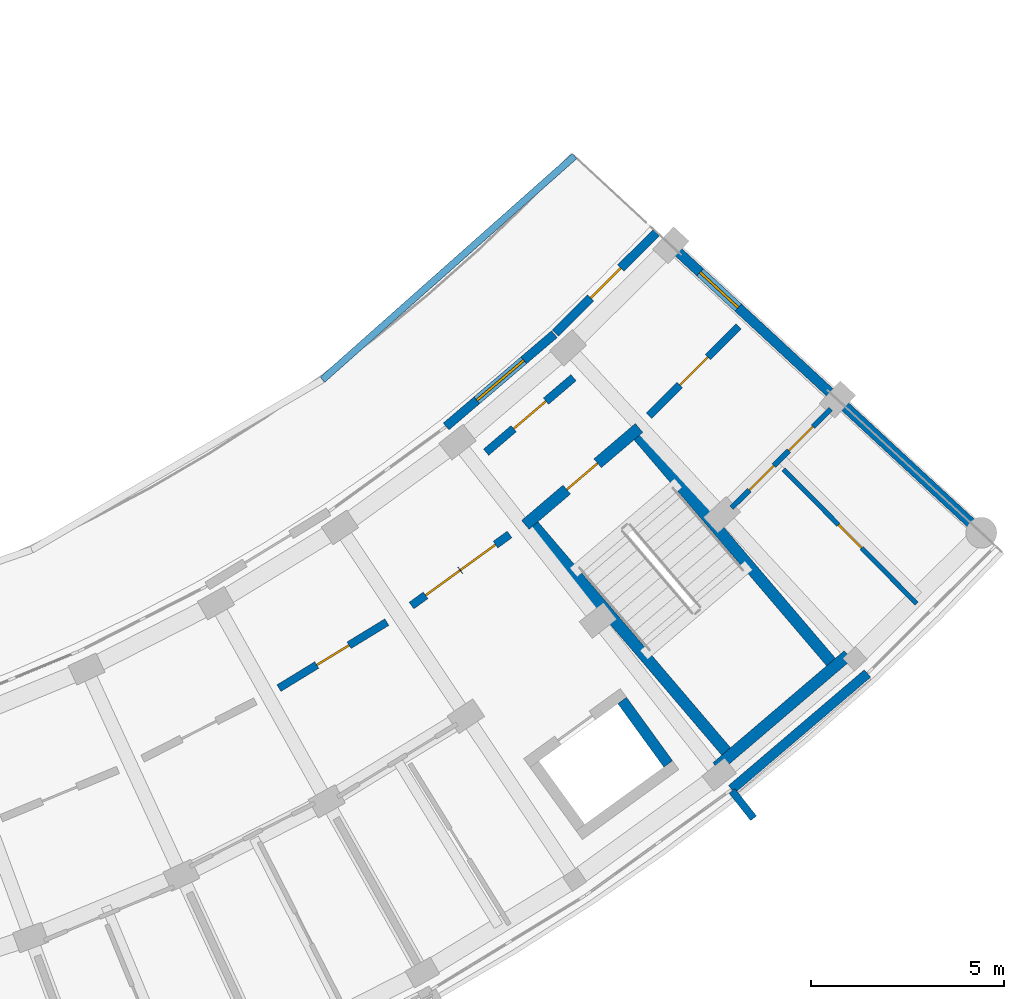
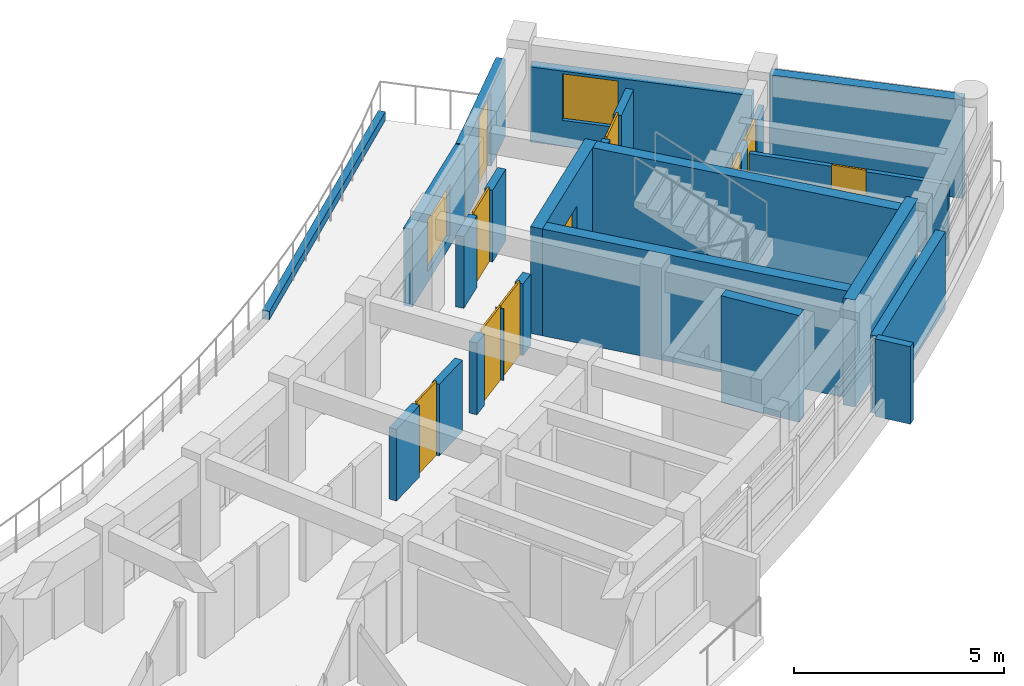
# One storey, part 39 of 54: 18 walls, 10 doors, 2 windows, 12 openings.
"""IFC4 building model written with IfcOpenShell, lengths in metres."""

import ifcopenshell
import ifcopenshell.guid

model = None  # the IFC model being written
_history = None  # IfcOwnerHistory: only IFC2X3 demands one
_inside = {}  # id of a spatial element -> (the spatial element, [elements in it])
_under = {}  # id of a project, library or spatial element -> (it, [spatial elements below it])
_declared = {}  # id of a project -> (the project, [libraries it declares])
_typed = {}  # id of a type object -> (the type object, [elements of that type])
_made_of = {}  # id of a material, layer set ... -> (it, [elements and type objects made of it])


def new_model(schema):
    """Start an empty IFC model of exactly this schema.

    Asked for "IFC4X3", IfcOpenShell would pick the latest addendum, in which some entities
    have other attributes; the version numbers below select the first issue.
    IFC2X3 requires an IfcOwnerHistory on every rooted entity: one is made here for all.
    """
    global model, _history
    if schema == "IFC4X3":
        model = ifcopenshell.file(schema_version=(4, 3, 0, 0))
    else:
        model = ifcopenshell.file(schema=schema)
    _inside.clear()
    _under.clear()
    _declared.clear()
    _typed.clear()
    _made_of.clear()
    _history = None
    if model.schema == "IFC2X3":
        org = make("IfcOrganization", Name="unknown")
        user = make(
            "IfcPersonAndOrganization",
            ThePerson=make("IfcPerson", FamilyName="unknown"),
            TheOrganization=org,
        )
        app = make(
            "IfcApplication",
            ApplicationDeveloper=org,
            Version="unknown",
            ApplicationFullName="unknown",
            ApplicationIdentifier="unknown",
        )
        _history = make(
            "IfcOwnerHistory",
            OwningUser=user,
            OwningApplication=app,
            ChangeAction="ADDED",
            CreationDate=0,
        )
    return model


def make(cls, **values):
    """One entity of the class cls with the attributes given. An attribute that is None is left unset."""
    return model.create_entity(
        cls, **{name: value for name, value in values.items() if value is not None}
    )


def rooted(cls, **values):
    """An entity with a GlobalId (a new one), such as an element, a storey or a relation."""
    return make(cls, GlobalId=ifcopenshell.guid.new(), OwnerHistory=_history, **values)


def si_unit(unit_type, name, prefix=None):
    """IfcSIUnit, for example si_unit("LENGTHUNIT", "METRE", prefix="MILLI")."""
    return make("IfcSIUnit", UnitType=unit_type, Prefix=prefix, Name=name)


def assignment(units):
    """IfcUnitAssignment: the units of a project."""
    return None if units is None else make("IfcUnitAssignment", Units=units)


def point(xyz):
    """IfcCartesianPoint."""
    return None if xyz is None else make("IfcCartesianPoint", Coordinates=xyz)


def direction(xyz):
    """IfcDirection."""
    return None if xyz is None else make("IfcDirection", DirectionRatios=xyz)


def frame(location, z_axis=None, x_axis=None):
    """IfcAxis2Placement3D, a coordinate frame: its origin and axes. An axis left out is left unset."""
    return make(
        "IfcAxis2Placement3D",
        Location=point(location),
        Axis=direction(z_axis),
        RefDirection=direction(x_axis),
    )


def frame_2d(location, x_axis=None):
    """IfcAxis2Placement2D, a coordinate frame in the plane: its origin and x axis."""
    return make(
        "IfcAxis2Placement2D", Location=point(location), RefDirection=direction(x_axis)
    )


def origin():
    """The frame at (0, 0, 0) with its axes left unset."""
    return frame((0.0, 0.0, 0.0))


def place(relative_to, where):
    """IfcLocalPlacement: puts the frame where relative to a parent placement (None: the world)."""
    return make(
        "IfcLocalPlacement", PlacementRelTo=relative_to, RelativePlacement=where
    )


def context(
    kind, dimensions, precision=None, world=None, true_north=None, identifier=None
):
    """IfcGeometricRepresentationContext, for example the 3D "Model" context."""
    return make(
        "IfcGeometricRepresentationContext",
        ContextIdentifier=identifier,
        ContextType=kind,
        CoordinateSpaceDimension=dimensions,
        Precision=precision,
        WorldCoordinateSystem=world,
        TrueNorth=true_north,
    )


def subcontext(parent, identifier, kind, view, scale=None):
    """IfcGeometricRepresentationSubContext, for example "Body" below "Model"."""
    return make(
        "IfcGeometricRepresentationSubContext",
        ContextIdentifier=identifier,
        ContextType=kind,
        ParentContext=parent,
        TargetScale=scale,
        TargetView=view,
    )


def project(units=None, contexts=None):
    """IfcProject with its units and contexts."""
    return rooted(
        "IfcProject",
        Name="project",
        RepresentationContexts=contexts,
        UnitsInContext=assignment(units),
    )


def spatial(cls, under=None, at=None, **own):
    """A site, building, storey or space (cls), placed at a placement, below another one or the project."""
    s = rooted(cls, ObjectPlacement=at, **own)
    if under is not None:
        _under.setdefault(under.id(), (under, []))[1].append(s)
    return s


def profile(cls, at=None, kind="AREA", **sizes):
    """A parametric profile (cls). Its sizes go by their IFC names, for example OverallWidth=200.0."""
    return make(cls, ProfileType=kind, Position=at, **sizes)


def rectangle(**sizes):
    """IfcRectangleProfileDef."""
    return profile("IfcRectangleProfileDef", **sizes)


def extrude(swept, where, along, depth):
    """IfcExtrudedAreaSolid: the profile swept, set in the frame where, extruded along a direction by depth."""
    return make(
        "IfcExtrudedAreaSolid",
        SweptArea=swept,
        Position=where,
        ExtrudedDirection=direction(along),
        Depth=depth,
    )


def shape(context_of_items, identifier, shape_type, items):
    """IfcShapeRepresentation: the items that make up one representation, for example the "Body"."""
    return make(
        "IfcShapeRepresentation",
        ContextOfItems=context_of_items,
        RepresentationIdentifier=identifier,
        RepresentationType=shape_type,
        Items=items,
    )


def material(Name=None, Category=None):
    """IfcMaterial."""
    return make("IfcMaterial", Name=Name, Category=Category)


def layer(
    of_material, thickness, ventilated=None, Name=None, Category=None, Priority=None
):
    """IfcMaterialLayer: one layer of a wall or slab, of a material (None: an air gap)."""
    return make(
        "IfcMaterialLayer",
        Material=of_material,
        LayerThickness=thickness,
        IsVentilated=ventilated,
        Name=Name,
        Category=Category,
        Priority=Priority,
    )


def layer_set(layers, Name=None):
    """IfcMaterialLayerSet."""
    return make("IfcMaterialLayerSet", MaterialLayers=layers, LayerSetName=Name)


def made_of(thing, what):
    """Note that an element or type object is made of a material, layer set ...; save() writes the relation."""
    if what is not None:
        _made_of.setdefault(what.id(), (what, []))[1].append(thing)
    return thing


def type_object(cls, material=None, **own):
    """A type object (cls), such as IfcWallType, which elements share."""
    return made_of(rooted(cls, **own), material)


def element(
    cls,
    number,
    at=None,
    inside=None,
    cuts=None,
    type_object=None,
    material=None,
    context=None,
    identifier="Body",
    shape_type=None,
    held_by="IfcProductDefinitionShape",
    body=None,
    shapes=None,
    **own,
):
    """One element of the class cls, such as IfcWall. Its Tag is "e" and its number.

    at: its placement. inside: the storey or other place that contains it. cuts: it is an
    opening in that element (IfcRelVoidsElement). A single representation is given by context,
    identifier, shape_type and body (its items); several are given by shapes. held_by: the class
    of the entity that holds the representations. save() writes the other relations.
    """
    e = rooted(cls, Tag="e%d" % number, ObjectPlacement=at, **own)
    if body is not None:
        shapes = [shape(context, identifier, shape_type, body)]
    if shapes is not None:
        e.Representation = make(held_by, Representations=shapes)
    if inside is not None:
        _inside.setdefault(inside.id(), (inside, []))[1].append(e)
    if cuts is not None:
        rooted(
            "IfcRelVoidsElement", RelatingBuildingElement=cuts, RelatedOpeningElement=e
        )
    if type_object is not None:
        _typed.setdefault(type_object.id(), (type_object, []))[1].append(e)
    return made_of(e, material)


def fill(opening, filler):
    """IfcRelFillsElement: the door or window that sits in an opening."""
    return rooted(
        "IfcRelFillsElement",
        RelatingOpeningElement=opening,
        RelatedBuildingElement=filler,
    )


def aggregate(whole, parts):
    """IfcRelAggregates: a whole, such as a stair, and the parts it consists of."""
    return rooted("IfcRelAggregates", RelatingObject=whole, RelatedObjects=parts)


def save(model, path):
    """Write the relations noted so far, then the file.

    IfcRelAggregates (storeys below a building ...), IfcRelContainedInSpatialStructure (elements
    in a storey), IfcRelDefinesByType, IfcRelAssociatesMaterial and IfcRelDeclares: one each for
    every whole, place, type object, material and project.
    """
    for whole, parts in _under.values():
        aggregate(whole, parts)
    for where, things in _inside.values():
        rooted(
            "IfcRelContainedInSpatialStructure",
            RelatedElements=things,
            RelatingStructure=where,
        )
    for kind, things in _typed.values():
        rooted("IfcRelDefinesByType", RelatedObjects=things, RelatingType=kind)
    for what, things in _made_of.values():
        rooted("IfcRelAssociatesMaterial", RelatedObjects=things, RelatingMaterial=what)
    for by, libraries in _declared.values():
        rooted("IfcRelDeclares", RelatingContext=by, RelatedDefinitions=libraries)
    model.write(path)


model = new_model("IFC4")

# Units and contexts
model_context = context("Model", 3, precision=1e-05, world=origin(), true_north=direction((0.0, 1.0)))
body_context = subcontext(model_context, "Body", "Model", "MODEL_VIEW")
ifc_project = project(units=[si_unit("LENGTHUNIT", "METRE"), si_unit("AREAUNIT", "SQUARE_METRE"), si_unit("VOLUMEUNIT", "CUBIC_METRE"), si_unit("PLANEANGLEUNIT", "RADIAN"), si_unit("MASSUNIT", "GRAM", prefix="KILO")], contexts=[model_context])

# Site, building, storey
site_placement = place(None, origin())
site = spatial("IfcSite", under=ifc_project, at=site_placement, CompositionType="ELEMENT")
building_placement = place(site_placement, origin())
building = spatial("IfcBuilding", under=site, at=building_placement, Name="Zimvara Arc Housing Community", CompositionType="ELEMENT")
storey_placement = place(building_placement, frame((0.0, 0.0, 20.5)))
storey = spatial("IfcBuildingStorey", under=building, at=storey_placement, Name="L06", CompositionType="ELEMENT", Elevation=20.5)

# Wall, opening, window
ifc_material_1 = material(Name="Board-Marked Fair-Faced Concrete C35/45", Category="concrete")
ifc_layer_1 = layer(ifc_material_1, 0.22998046875)
ifc_layer_set_1 = layer_set([ifc_layer_1], Name="Board-Marked Fair-Faced Concrete C35/45")
wall_type_1 = type_object("IfcWallType", Name="EWL-CONC-230", PredefinedType="SOLIDWALL", material=ifc_layer_set_1)
wall_1_placement = place(storey_placement, frame((155.320068359375, 72.607666015625, 0.0), z_axis=(0.0, 0.0, 1.0), x_axis=(0.760985049259, 0.648769415743, 0.0)))
wall_1 = element("IfcWall", 1, at=wall_1_placement, inside=storey, type_object=wall_type_1, Name="ewall:blkD:L06:in:b8", PredefinedType="SOLIDWALL", context=body_context, shape_type="SweptSolid", body=[
    extrude(rectangle(XDim=3.683349609375, YDim=0.22998046875, at=frame_2d((1.841796875, 0.0))), origin(), (0.0, 0.0, 1.0), 2.25),
])
opening_1_placement = place(wall_1_placement, frame((1.041748046875, 0.0, 0.320068359375)))
opening_1 = element("IfcOpeningElement", 2, at=opening_1_placement, cuts=wall_1, Name="Opening W03", PredefinedType="OPENING", context=body_context, shape_type="SweptSolid", body=[
    extrude(rectangle(XDim=1.60009765625, YDim=1.5, at=frame_2d((0.800048828125, 0.75))), frame((0.0, 0.125, 0.0), z_axis=(0.0, -1.0, 0.0), x_axis=(1.0, 0.0, 0.0)), (0.0, 0.0, 1.0), 0.25),
])
ifc_material_2 = material(Name="Solar Control Low-E Double Glazing", Category="glass")
window_type_1 = type_object("IfcWindowType", Name="WIN-RES-1600x1500", PartitioningType="DOUBLE_PANEL_VERTICAL", PredefinedType="WINDOW", material=ifc_material_2)
window_1_placement = place(opening_1_placement, origin())
window_1 = element("IfcWindow", 3, at=window_1_placement, inside=storey, type_object=window_type_1, Name="win:blkD:L06:in:b8", OverallHeight=1.5, OverallWidth=1.60009765625, PartitioningType="DOUBLE_PANEL_VERTICAL", PredefinedType="WINDOW", context=body_context, shape_type="SweptSolid", body=[
    extrude(rectangle(XDim=1.60009765625, YDim=1.5, at=frame_2d((0.800048828125, 0.75))), frame((0.0, 0.030029296875, 0.0), z_axis=(0.0, -1.0, 0.0), x_axis=(1.0, 0.0, 0.0)), (0.0, 0.0, 1.0), 0.06005859375),
])
fill(opening_1, window_1)

# Wall, opening, door
wall_2_placement = place(storey_placement, frame((158.152587890625, 75.0244140625, 0.0), z_axis=(0.0, 0.0, 1.0), x_axis=(0.707703076116, 0.706509982984, 0.0)))
wall_2 = element("IfcWall", 4, at=wall_2_placement, inside=storey, type_object=wall_type_1, Name="ewall:blkD:L06:in:b9", PredefinedType="SOLIDWALL", context=body_context, shape_type="SweptSolid", body=[
    extrude(rectangle(XDim=3.683349609375, YDim=0.22998046875, at=frame_2d((1.841796875, 0.0))), origin(), (0.0, 0.0, 1.0), 2.25),
])
opening_2_placement = place(wall_2_placement, frame((1.291748046875, 0.0, 0.0)))
opening_2 = element("IfcOpeningElement", 5, at=opening_2_placement, cuts=wall_2, Name="Opening ED06", PredefinedType="OPENING", context=body_context, shape_type="SweptSolid", body=[
    extrude(rectangle(XDim=1.10009765625, YDim=2.14990234375, at=frame_2d((0.550048828125, 1.074951171875))), frame((0.0, 0.125, 0.0), z_axis=(0.0, -1.0, 0.0), x_axis=(1.0, 0.0, 0.0)), (0.0, 0.0, 1.0), 0.25),
])
ifc_material_3 = material(Name="Anodised Aluminium AW-6063", Category="aluminium")
door_type_1 = type_object("IfcDoorType", Name="EDR-TERR-1100x2150", OperationType="NOTDEFINED", PredefinedType="DOOR", material=ifc_material_3)
door_1_placement = place(opening_2_placement, origin())
door_1 = element("IfcDoor", 6, at=door_1_placement, inside=storey, type_object=door_type_1, Name="edoor:blkD:L06:terr:b9", OperationType="SINGLE_SWING_LEFT", OverallHeight=2.14990234375, OverallWidth=1.10009765625, PredefinedType="DOOR", context=body_context, shape_type="SweptSolid", body=[
    extrude(rectangle(XDim=1.10009765625, YDim=2.14990234375, at=frame_2d((0.550048828125, 1.074951171875))), frame((0.0, 0.02490234375, 0.0), z_axis=(0.0, -1.0, 0.0), x_axis=(1.0, 0.0, 0.0)), (0.0, 0.0, 1.0), 0.050048828125),
])
fill(opening_2, door_1)

# Wall
ifc_material_4 = material(Name="Board-Marked Fair-Faced Concrete C35/45", Category="concrete")
ifc_layer_2 = layer(ifc_material_4, 0.2548828125)
ifc_layer_set_2 = layer_set([ifc_layer_2], Name="Board-Marked Fair-Faced Concrete C35/45")
wall_type_2 = type_object("IfcWallType", Name="EWL-CONC-255", PredefinedType="SOLIDWALL", material=ifc_layer_set_2)
wall_3_placement = place(storey_placement, frame((162.71630859375, 63.208740234375, 0.0), z_axis=(0.0, 0.0, 1.0), x_axis=(0.760968923704, 0.64878833001, 0.0)))
element("IfcWall", 7, at=wall_3_placement, inside=storey, type_object=wall_type_2, Name="ewall:blkD:L06:out:b8", PredefinedType="SOLIDWALL", context=body_context, shape_type="SweptSolid", body=[
    extrude(rectangle(XDim=4.62255859375, YDim=0.2548828125, at=frame_2d((2.311279296875, 0.0))), origin(), (0.0, 0.0, 1.0), 2.25),
])

# Wall, opening, window
wall_4_placement = place(storey_placement, frame((161.31640625, 77.13818359375, 0.0), z_axis=(0.0, 0.0, 1.0), x_axis=(0.733734795505, -0.679435979225, 0.0)))
wall_4 = element("IfcWall", 8, at=wall_4_placement, inside=storey, type_object=wall_type_2, Name="ewall:blkD:L06:gN", PredefinedType="SOLIDWALL", context=body_context, shape_type="SweptSolid", body=[
    extrude(rectangle(XDim=5.39990234375, YDim=0.2548828125, at=frame_2d((2.699951171875, 0.0))), origin(), (0.0, 0.0, 1.0), 2.179931640625),
])
opening_3_placement = place(wall_4_placement, frame((0.7900390625, 0.0, 0.75)))
opening_3 = element("IfcOpeningElement", 9, at=opening_3_placement, cuts=wall_4, Name="Opening W12", PredefinedType="OPENING", context=body_context, shape_type="SweptSolid", body=[
    extrude(rectangle(XDim=1.35009765625, YDim=1.35009765625, at=frame_2d((0.675048828125, 0.675048828125))), frame((0.0, 0.137451171875, 0.0), z_axis=(0.0, -1.0, 0.0), x_axis=(1.0, 0.0, 0.0)), (0.0, 0.0, 1.0), 0.27490234375),
])
ifc_material_5 = material(Name="Solar Control Low-E Double Glazing", Category="glass")
window_type_2 = type_object("IfcWindowType", Name="WIN-RES-1350x1350", PartitioningType="DOUBLE_PANEL_VERTICAL", PredefinedType="WINDOW", material=ifc_material_5)
window_2_placement = place(opening_3_placement, origin())
window_2 = element("IfcWindow", 10, at=window_2_placement, inside=storey, type_object=window_type_2, Name="win:blkD:L06:gN:w", OverallHeight=1.35009765625, OverallWidth=1.35009765625, PartitioningType="DOUBLE_PANEL_VERTICAL", PredefinedType="WINDOW", context=body_context, shape_type="SweptSolid", body=[
    extrude(rectangle(XDim=1.35009765625, YDim=1.35009765625, at=frame_2d((0.675048828125, 0.675048828125))), frame((0.0, 0.030029296875, 0.0), z_axis=(0.0, -1.0, 0.0), x_axis=(1.0, 0.0, 0.0)), (0.0, 0.0, 1.0), 0.06005859375),
])
fill(opening_3, window_2)

# Walls
ifc_material_6 = material(Name="Board-Marked Fair-Faced Concrete C35/45", Category="concrete")
ifc_layer_3 = layer(ifc_material_6, 0.179931640625)
ifc_layer_set_3 = layer_set([ifc_layer_3], Name="Board-Marked Fair-Faced Concrete C35/45")
wall_type_3 = type_object("IfcWallType", Name="EWL-PARA-180", PredefinedType="PARAPET", material=ifc_layer_set_3)
wall_5_placement = place(storey_placement, frame((152.11669921875, 73.81982421875, 0.0), z_axis=(0.0, 0.0, 1.0), x_axis=(0.74809726033, 0.66358909657, 0.0)))
element("IfcWall", 11, at=wall_5_placement, inside=storey, type_object=wall_type_3, Name="parapet:blkD:L06:p15", PredefinedType="PARAPET", context=body_context, shape_type="SweptSolid", body=[
    extrude(rectangle(XDim=8.7275390625, YDim=0.179931640625, at=frame_2d((4.36376953125, 0.0))), origin(), (0.0, 0.0, 1.0), 0.25),
])
ifc_material_7 = material(Name="Board-Marked Fair-Faced Concrete C35/45", Category="concrete")
ifc_layer_4 = layer(ifc_material_7, 0.195068359375)
ifc_layer_set_4 = layer_set([ifc_layer_4], Name="Board-Marked Fair-Faced Concrete C35/45")
wall_type_4 = type_object("IfcWallType", Name="EWL-PARA-195", PredefinedType="PARAPET", material=ifc_layer_set_4)
wall_6_placement = place(storey_placement, frame((162.725830078125, 63.164306640625, 0.0), z_axis=(0.0, 0.0, 1.0), x_axis=(0.618456270212, -0.785819217019, 0.0)))
element("IfcWall", 12, at=wall_6_placement, inside=storey, type_object=wall_type_4, Name="finwall:blkD:L06:out:b8", PredefinedType="PARAPET", context=body_context, shape_type="SweptSolid", body=[
    extrude(rectangle(XDim=0.900146484375, YDim=0.195068359375, at=frame_2d((0.4501953125, 0.0))), origin(), (0.0, 0.0, 1.0), 2.25),
])

# Wall, openings, doors
ifc_material_8 = material(Name="Concrete C35/45", Category="concrete")
ifc_layer_5 = layer(ifc_material_8, 0.2099609375)
ifc_layer_set_5 = layer_set([ifc_layer_5], Name="Concrete C35/45")
wall_type_5 = type_object("IfcWallType", Name="IWL-CCF-210", PredefinedType="SOLIDWALL", material=ifc_layer_set_5)
wall_7_placement = place(storey_placement, frame((154.4228515625, 67.968017578125, 0.0), z_axis=(0.0, 0.0, 1.0), x_axis=(0.809516127005, 0.587097641043, 0.0)))
wall_7 = element("IfcWall", 13, at=wall_7_placement, inside=storey, type_object=wall_type_5, Name="iwall:blkD:L06:ll_div:b7", PredefinedType="SOLIDWALL", context=body_context, shape_type="SweptSolid", body=[
    extrude(rectangle(XDim=3.13720703125, YDim=0.2099609375, at=frame_2d((1.568603515625, 0.0))), origin(), (0.0, 0.0, 1.0), 2.080078125),
])
opening_4_placement = place(wall_7_placement, frame((0.449951171875, 0.0, 0.0)))
opening_4 = element("IfcOpeningElement", 14, at=opening_4_placement, cuts=wall_7, Name="Opening FD-CCF1", PredefinedType="OPENING", context=body_context, shape_type="SweptSolid", body=[
    extrude(rectangle(XDim=1.10009765625, YDim=2.14990234375, at=frame_2d((0.550048828125, 1.074951171875))), frame((0.0, 0.114990234375, 0.0), z_axis=(0.0, -1.0, 0.0), x_axis=(1.0, 0.0, 0.0)), (0.0, 0.0, 1.0), 0.22998046875),
])
opening_5_placement = place(wall_7_placement, frame((1.56689453125, 0.0, 0.0)))
opening_5 = element("IfcOpeningElement", 15, at=opening_5_placement, cuts=wall_7, Name="Opening D07", PredefinedType="OPENING", context=body_context, shape_type="SweptSolid", body=[
    extrude(rectangle(XDim=1.1201171875, YDim=2.14990234375, at=frame_2d((0.56005859375, 1.074951171875))), frame((0.0, 0.114990234375, 0.0), z_axis=(0.0, -1.0, 0.0), x_axis=(1.0, 0.0, 0.0)), (0.0, 0.0, 1.0), 0.22998046875),
])
ifc_material_9 = material(Name="Mozambican Hardwood", Category="wood")
door_type_2 = type_object("IfcDoorType", Name="IDR-AMN-1120x2150", OperationType="NOTDEFINED", PredefinedType="DOOR", material=ifc_material_9)
door_2_placement = place(opening_5_placement, origin())
door_2 = element("IfcDoor", 16, at=door_2_placement, inside=storey, type_object=door_type_2, Name="idoor:blkD:L06:rs_in:b7", OperationType="SINGLE_SWING_LEFT", OverallHeight=2.14990234375, OverallWidth=1.1201171875, PredefinedType="DOOR", context=body_context, shape_type="SweptSolid", body=[
    extrude(rectangle(XDim=1.1201171875, YDim=2.14990234375, at=frame_2d((0.56005859375, 1.074951171875))), frame((0.0, 0.02490234375, 0.0), z_axis=(0.0, -1.0, 0.0), x_axis=(1.0, 0.0, 0.0)), (0.0, 0.0, 1.0), 0.050048828125),
])
fill(opening_5, door_2)
ifc_material_10 = material(Name="Anodised Aluminium AW-6063", Category="aluminium")
door_type_3 = type_object("IfcDoorType", Name="IDR-CCF-1100x2150", OperationType="NOTDEFINED", PredefinedType="DOOR", material=ifc_material_10)
door_3_placement = place(opening_4_placement, origin())
door_3 = element("IfcDoor", 17, at=door_3_placement, inside=storey, type_object=door_type_3, Name="idoor:blkD:L06:ll_in:b7", OperationType="SINGLE_SWING_RIGHT", OverallHeight=2.14990234375, OverallWidth=1.10009765625, PredefinedType="DOOR", context=body_context, shape_type="SweptSolid", body=[
    extrude(rectangle(XDim=1.10009765625, YDim=2.14990234375, at=frame_2d((0.550048828125, 1.074951171875))), frame((0.0, 0.02490234375, 0.0), z_axis=(0.0, -1.0, 0.0), x_axis=(1.0, 0.0, 0.0)), (0.0, 0.0, 1.0), 0.050048828125),
])
fill(opening_4, door_3)

# Wall, opening, door
wall_8_placement = place(storey_placement, frame((156.354248046875, 71.93994140625, 0.0), z_axis=(0.0, 0.0, 1.0), x_axis=(0.760991187621, 0.648762215579, 0.0)))
wall_8 = element("IfcWall", 18, at=wall_8_placement, inside=storey, type_object=wall_type_5, Name="iwall:blkD:L06:ccf_div:b8", PredefinedType="SOLIDWALL", context=body_context, shape_type="SweptSolid", body=[
    extrude(rectangle(XDim=2.975830078125, YDim=0.2099609375, at=frame_2d((1.48779296875, 0.0))), origin(), (0.0, 0.0, 1.0), 2.080078125),
])
opening_6_placement = place(wall_8_placement, frame((0.93798828125, 0.0, 0.0)))
opening_6 = element("IfcOpeningElement", 19, at=opening_6_placement, cuts=wall_8, Name="Opening FD-CCF1", PredefinedType="OPENING", context=body_context, shape_type="SweptSolid", body=[
    extrude(rectangle(XDim=1.10009765625, YDim=2.14990234375, at=frame_2d((0.550048828125, 1.074951171875))), frame((0.0, 0.114990234375, 0.0), z_axis=(0.0, -1.0, 0.0), x_axis=(1.0, 0.0, 0.0)), (0.0, 0.0, 1.0), 0.22998046875),
])
door_4_placement = place(opening_6_placement, origin())
door_4 = element("IfcDoor", 20, at=door_4_placement, inside=storey, type_object=door_type_3, Name="idoor:blkD:L06:ccf_in:b8", OperationType="SINGLE_SWING_RIGHT", OverallHeight=2.14990234375, OverallWidth=1.10009765625, PredefinedType="DOOR", context=body_context, shape_type="SweptSolid", body=[
    extrude(rectangle(XDim=1.10009765625, YDim=2.14990234375, at=frame_2d((0.550048828125, 1.074951171875))), frame((0.0, 0.02490234375, 0.0), z_axis=(0.0, -1.0, 0.0), x_axis=(1.0, 0.0, 0.0)), (0.0, 0.0, 1.0), 0.050048828125),
])
fill(opening_6, door_4)

ifc_material_11 = material(Name="Concrete C35/45", Category="concrete")
ifc_layer_6 = layer(ifc_material_11, 0.199951171875)
ifc_layer_set_6 = layer_set([ifc_layer_6], Name="Concrete C35/45")
wall_type_6 = type_object("IfcWallType", Name="IWL-CORR-200", PredefinedType="SOLIDWALL", material=ifc_layer_set_6)
wall_9_placement = place(storey_placement, frame((150.98876953125, 65.8291015625, 0.0), z_axis=(0.0, 0.0, 1.0), x_axis=(0.853090237845, 0.521763400492, 0.0)))
wall_9 = element("IfcWall", 21, at=wall_9_placement, inside=storey, type_object=wall_type_6, Name="iwall:blkD:L06:corr_out:b6", PredefinedType="SOLIDWALL", context=body_context, shape_type="SweptSolid", body=[
    extrude(rectangle(XDim=3.27685546875, YDim=0.199951171875, at=frame_2d((1.638427734375, 0.0))), origin(), (0.0, 0.0, 1.0), 2.080078125),
])
opening_7_placement = place(wall_9_placement, frame((1.1484375, 0.0, 0.0)))
opening_7 = element("IfcOpeningElement", 22, at=opening_7_placement, cuts=wall_9, Name="Opening FD-FL1", PredefinedType="OPENING", context=body_context, shape_type="SweptSolid", body=[
    extrude(rectangle(XDim=0.97998046875, YDim=2.14990234375, at=frame_2d((0.489990234375, 1.074951171875))), frame((0.0, 0.10986328125, 0.0), z_axis=(0.0, -1.0, 0.0), x_axis=(1.0, 0.0, 0.0)), (0.0, 0.0, 1.0), 0.219970703125),
])
ifc_material_12 = material(Name="Mozambican Hardwood", Category="wood")
door_type_4 = type_object("IfcDoorType", Name="IDR-FLAT-0980x2150", OperationType="NOTDEFINED", PredefinedType="DOOR", material=ifc_material_12)
door_5_placement = place(opening_7_placement, origin())
door_5 = element("IfcDoor", 23, at=door_5_placement, inside=storey, type_object=door_type_4, Name="idoor:blkD:L06:flat:b6", OperationType="SINGLE_SWING_RIGHT", OverallHeight=2.14990234375, OverallWidth=0.97998046875, PredefinedType="DOOR", context=body_context, shape_type="SweptSolid", body=[
    extrude(rectangle(XDim=0.97998046875, YDim=2.14990234375, at=frame_2d((0.489990234375, 1.074951171875))), frame((0.0, 0.02490234375, 0.0), z_axis=(0.0, -1.0, 0.0), x_axis=(1.0, 0.0, 0.0)), (0.0, 0.0, 1.0), 0.050048828125),
])
fill(opening_7, door_5)

wall_10_placement = place(storey_placement, frame((160.576416015625, 72.8837890625, 0.0), z_axis=(0.0, 0.0, 1.0), x_axis=(0.70773973846, 0.706473256822, 0.0)))
wall_10 = element("IfcWall", 24, at=wall_10_placement, inside=storey, type_object=wall_type_6, Name="iwall:blkD:L06:corr_out:b9", PredefinedType="SOLIDWALL", context=body_context, shape_type="SweptSolid", body=[
    extrude(rectangle(XDim=3.277099609375, YDim=0.199951171875, at=frame_2d((1.638671875, 0.0))), origin(), (0.0, 0.0, 1.0), 2.080078125),
])
opening_8_placement = place(wall_10_placement, frame((1.12841796875, 0.0, 0.0)))
opening_8 = element("IfcOpeningElement", 25, at=opening_8_placement, cuts=wall_10, Name="Opening FD-FL2", PredefinedType="OPENING", context=body_context, shape_type="SweptSolid", body=[
    extrude(rectangle(XDim=1.02001953125, YDim=2.14990234375, at=frame_2d((0.510009765625, 1.074951171875))), frame((0.0, 0.10986328125, 0.0), z_axis=(0.0, -1.0, 0.0), x_axis=(1.0, 0.0, 0.0)), (0.0, 0.0, 1.0), 0.219970703125),
])
ifc_material_13 = material(Name="Mozambican Hardwood", Category="wood")
door_type_5 = type_object("IfcDoorType", Name="IDR-FLAT-1020x2150", OperationType="NOTDEFINED", PredefinedType="DOOR", material=ifc_material_13)
door_6_placement = place(opening_8_placement, origin())
door_6 = element("IfcDoor", 26, at=door_6_placement, inside=storey, type_object=door_type_5, Name="idoor:blkD:L06:flat:b9", OperationType="SINGLE_SWING_LEFT", OverallHeight=2.14990234375, OverallWidth=1.02001953125, PredefinedType="DOOR", context=body_context, shape_type="SweptSolid", body=[
    extrude(rectangle(XDim=1.02001953125, YDim=2.14990234375, at=frame_2d((0.510009765625, 1.074951171875))), frame((0.0, 0.02490234375, 0.0), z_axis=(0.0, -1.0, 0.0), x_axis=(1.0, 0.0, 0.0)), (0.0, 0.0, 1.0), 0.050048828125),
])
fill(opening_8, door_6)

ifc_material_14 = material(Name="Painted Acoustic Plasterboard")
ifc_layer_7 = layer(ifc_material_14, 0.1201171875)
ifc_layer_set_7 = layer_set([ifc_layer_7], Name="Painted Acoustic Plasterboard")
wall_type_7 = type_object("IfcWallType", Name="IWL-PART-120", PredefinedType="PARTITIONING", material=ifc_layer_set_7)
wall_11_placement = place(storey_placement, frame((164.054931640625, 71.497314453125, 0.0), z_axis=(0.0, 0.0, 1.0), x_axis=(0.704461179749, -0.709742521078, 0.0)))
wall_11 = element("IfcWall", 27, at=wall_11_placement, inside=storey, type_object=wall_type_7, Name="iwall:blkD:L06:bed_div:b9", PredefinedType="PARTITIONING", context=body_context, shape_type="SweptSolid", body=[
    extrude(rectangle(XDim=4.900146484375, YDim=0.1201171875, at=frame_2d((2.4501953125, 0.0))), origin(), (0.0, 0.0, 1.0), 2.080078125),
])
opening_9_placement = place(wall_11_placement, frame((2.02490234375, 0.0, 0.0)))
opening_9 = element("IfcOpeningElement", 28, at=opening_9_placement, cuts=wall_11, Name="Opening D11", PredefinedType="OPENING", context=body_context, shape_type="SweptSolid", body=[
    extrude(rectangle(XDim=0.85009765625, YDim=2.10009765625, at=frame_2d((0.425048828125, 1.050048828125))), frame((0.0, 0.070068359375, 0.0), z_axis=(0.0, -1.0, 0.0), x_axis=(1.0, 0.0, 0.0)), (0.0, 0.0, 1.0), 0.14013671875),
])
ifc_material_15 = material(Name="Mozambican Hardwood", Category="wood")
door_type_6 = type_object("IfcDoorType", Name="IDR-MOD-850x2060", OperationType="NOTDEFINED", PredefinedType="DOOR", material=ifc_material_15)
door_7_placement = place(opening_9_placement, origin())
door_7 = element("IfcDoor", 29, at=door_7_placement, inside=storey, type_object=door_type_6, Name="idoor:blkD:L06:bed_d:b9", OperationType="SINGLE_SWING_RIGHT", OverallHeight=2.10009765625, OverallWidth=0.85009765625, PredefinedType="DOOR", context=body_context, shape_type="SweptSolid", body=[
    extrude(rectangle(XDim=0.85009765625, YDim=2.10009765625, at=frame_2d((0.425048828125, 1.050048828125))), frame((0.0, 0.02490234375, 0.0), z_axis=(0.0, -1.0, 0.0), x_axis=(1.0, 0.0, 0.0)), (0.0, 0.0, 1.0), 0.050048828125),
])
fill(opening_9, door_7)

# Wall, openings, doors
ifc_material_16 = material(Name="Painted Acoustic Plasterboard")
ifc_layer_8 = layer(ifc_material_16, 0.1298828125)
ifc_layer_set_8 = layer_set([ifc_layer_8], Name="Painted Acoustic Plasterboard")
wall_type_8 = type_object("IfcWallType", Name="IWL-PART-130", PredefinedType="PARTITIONING", material=ifc_layer_set_8)
wall_12_placement = place(storey_placement, frame((162.711181640625, 70.496826171875, 0.0), z_axis=(0.0, 0.0, 1.0), x_axis=(0.70774573777, 0.706467246706, 0.0)))
wall_12 = element("IfcWall", 30, at=wall_12_placement, inside=storey, type_object=wall_type_8, Name="iwall:blkD:L06:srv:b9", PredefinedType="PARTITIONING", context=body_context, shape_type="SweptSolid", body=[
    extrude(rectangle(XDim=3.628173828125, YDim=0.1298828125, at=frame_2d((1.81396484375, 0.0))), origin(), (0.0, 0.0, 1.0), 2.080078125),
])
opening_10_placement = place(wall_12_placement, frame((0.64990234375, 0.0, 0.0)))
opening_10 = element("IfcOpeningElement", 31, at=opening_10_placement, cuts=wall_12, Name="Opening D01", PredefinedType="OPENING", context=body_context, shape_type="SweptSolid", body=[
    extrude(rectangle(XDim=0.89990234375, YDim=2.10009765625, at=frame_2d((0.449951171875, 1.050048828125))), frame((0.0, 0.074951171875, 0.0), z_axis=(0.0, -1.0, 0.0), x_axis=(1.0, 0.0, 0.0)), (0.0, 0.0, 1.0), 0.14990234375),
])
opening_11_placement = place(wall_12_placement, frame((2.098388671875, 0.0, 0.0)))
opening_11 = element("IfcOpeningElement", 32, at=opening_11_placement, cuts=wall_12, Name="Opening D05", PredefinedType="OPENING", context=body_context, shape_type="SweptSolid", body=[
    extrude(rectangle(XDim=0.8798828125, YDim=2.10009765625, at=frame_2d((0.43994140625, 1.050048828125))), frame((0.0, 0.074951171875, 0.0), z_axis=(0.0, -1.0, 0.0), x_axis=(1.0, 0.0, 0.0)), (0.0, 0.0, 1.0), 0.14990234375),
])
ifc_material_17 = material(Name="Mozambican Hardwood", Category="wood")
door_type_7 = type_object("IfcDoorType", Name="IDR-RM-0900x2100", OperationType="NOTDEFINED", PredefinedType="DOOR", material=ifc_material_17)
door_8_placement = place(opening_10_placement, origin())
door_8 = element("IfcDoor", 33, at=door_8_placement, inside=storey, type_object=door_type_7, Name="idoor:blkD:L06:kit_liv:b9", OperationType="SINGLE_SWING_RIGHT", OverallHeight=2.10009765625, OverallWidth=0.89990234375, PredefinedType="DOOR", context=body_context, shape_type="SweptSolid", body=[
    extrude(rectangle(XDim=0.89990234375, YDim=2.10009765625, at=frame_2d((0.449951171875, 1.050048828125))), frame((0.0, 0.02490234375, 0.0), z_axis=(0.0, -1.0, 0.0), x_axis=(1.0, 0.0, 0.0)), (0.0, 0.0, 1.0), 0.050048828125),
])
fill(opening_10, door_8)
ifc_material_18 = material(Name="Mozambican Hardwood", Category="wood")
door_type_8 = type_object("IfcDoorType", Name="IDR-WC-0880x2100", OperationType="NOTDEFINED", PredefinedType="DOOR", material=ifc_material_18)
door_9_placement = place(opening_11_placement, origin())
door_9 = element("IfcDoor", 34, at=door_9_placement, inside=storey, type_object=door_type_8, Name="idoor:blkD:L06:bath_d:b9", OperationType="SINGLE_SWING_LEFT", OverallHeight=2.10009765625, OverallWidth=0.8798828125, PredefinedType="DOOR", context=body_context, shape_type="SweptSolid", body=[
    extrude(rectangle(XDim=0.8798828125, YDim=2.10009765625, at=frame_2d((0.43994140625, 1.050048828125))), frame((0.0, 0.02490234375, 0.0), z_axis=(0.0, -1.0, 0.0), x_axis=(1.0, 0.0, 0.0)), (0.0, 0.0, 1.0), 0.050048828125),
])
fill(opening_11, door_9)

# Wall
ifc_material_19 = material(Name="Concrete C40/50", Category="concrete")
ifc_layer_9 = layer(ifc_material_19, 0.280029296875)
ifc_layer_set_9 = layer_set([ifc_layer_9], Name="Concrete C40/50")
wall_type_9 = type_object("IfcWallType", Name="WL-CORE-280", PredefinedType="SHEAR", material=ifc_layer_set_9)
wall_13_placement = place(storey_placement, frame((159.87939453125, 65.509033203125, 0.0), z_axis=(0.0, 0.0, 1.0), x_axis=(0.58704837408, -0.809551855344, 0.0)))
element("IfcWall", 35, at=wall_13_placement, inside=storey, type_object=wall_type_9, Name="lwall:LP-D2:L06:right", PredefinedType="SHEAR", context=body_context, shape_type="SweptSolid", body=[
    extrude(rectangle(XDim=2.02978515625, YDim=0.280029296875, at=frame_2d((1.014892578125, 0.0))), origin(), (0.0, 0.0, 1.0), 3.10009765625),
])

# Wall, opening, door
ifc_material_20 = material(Name="Concrete C40/50", Category="concrete")
ifc_layer_10 = layer(ifc_material_20, 0.300048828125)
ifc_layer_set_10 = layer_set([ifc_layer_10], Name="Concrete C40/50")
wall_type_10 = type_object("IfcWallType", Name="WL-CORE-300", PredefinedType="SHEAR", material=ifc_layer_set_10)
wall_14_placement = place(storey_placement, frame((157.37158203125, 70.0576171875, 0.0), z_axis=(0.0, 0.0, 1.0), x_axis=(0.760990583254, 0.648762924495, 0.0)))
wall_14 = element("IfcWall", 36, at=wall_14_placement, inside=storey, type_object=wall_type_10, Name="cwall:ST-D2:L06:near", PredefinedType="SHEAR", context=body_context, shape_type="SweptSolid", body=[
    extrude(rectangle(XDim=3.8701171875, YDim=0.300048828125, at=frame_2d((1.93505859375, 0.0))), origin(), (0.0, 0.0, 1.0), 3.10009765625),
])
opening_12_placement = place(wall_14_placement, frame((1.409912109375, 0.0, 0.0)))
opening_12 = element("IfcOpeningElement", 37, at=opening_12_placement, cuts=wall_14, Name="Opening FD-ST2", PredefinedType="OPENING", context=body_context, shape_type="SweptSolid", body=[
    extrude(rectangle(XDim=1.050048828125, YDim=2.14990234375, at=frame_2d((0.52490234375, 1.074951171875))), frame((0.0, 0.159912109375, 0.0), z_axis=(0.0, -1.0, 0.0), x_axis=(1.0, 0.0, 0.0)), (0.0, 0.0, 1.0), 0.320068359375),
])
ifc_material_21 = material(Name="Anodised Aluminium AW-6063", Category="aluminium")
door_type_9 = type_object("IfcDoorType", Name="IDR-ST-1050x2150", OperationType="NOTDEFINED", PredefinedType="DOOR", material=ifc_material_21)
door_10_placement = place(opening_12_placement, origin())
door_10 = element("IfcDoor", 38, at=door_10_placement, inside=storey, type_object=door_type_9, Name="idoor:ST-D2:L06:entry", OperationType="SINGLE_SWING_RIGHT", OverallHeight=2.14990234375, OverallWidth=1.050048828125, PredefinedType="DOOR", context=body_context, shape_type="SweptSolid", body=[
    extrude(rectangle(XDim=1.050048828125, YDim=2.14990234375, at=frame_2d((0.52490234375, 1.074951171875))), frame((0.0, 0.02490234375, 0.0), z_axis=(0.0, -1.0, 0.0), x_axis=(1.0, 0.0, 0.0)), (0.0, 0.0, 1.0), 0.050048828125),
])
fill(opening_12, door_10)

# Walls
wall_15_placement = place(storey_placement, frame((162.3271484375, 63.78271484375, 0.0), z_axis=(0.0, 0.0, 1.0), x_axis=(0.760969560012, 0.648787583678, 0.0)))
element("IfcWall", 39, at=wall_15_placement, inside=storey, type_object=wall_type_10, Name="cwall:ST-D2:L06:far", PredefinedType="SHEAR", context=body_context, shape_type="SweptSolid", body=[
    extrude(rectangle(XDim=4.47021484375, YDim=0.300048828125, at=frame_2d((2.235107421875, 0.0))), origin(), (0.0, 0.0, 1.0), 3.10009765625),
])
wall_16_placement = place(storey_placement, frame((157.583251953125, 70.040771484375, 0.0), z_axis=(0.0, 0.0, 1.0), x_axis=(0.648762810187, -0.760990680704, 0.0)))
element("IfcWall", 40, at=wall_16_placement, inside=storey, type_object=wall_type_10, Name="cwall:ST-D2:L06:left", PredefinedType="SHEAR", context=body_context, shape_type="SweptSolid", body=[
    extrude(rectangle(XDim=7.68994140625, YDim=0.300048828125, at=frame_2d((3.844970703125, 0.0))), origin(), (0.0, 0.0, 1.0), 3.10009765625),
])
wall_17_placement = place(storey_placement, frame((160.2998046875, 72.35693359375, 0.0), z_axis=(0.0, 0.0, 1.0), x_axis=(0.648781194888, -0.760975006922, 0.0)))
element("IfcWall", 41, at=wall_17_placement, inside=storey, type_object=wall_type_10, Name="cwall:ST-D2:L06:right", PredefinedType="SHEAR", context=body_context, shape_type="SweptSolid", body=[
    extrude(rectangle(XDim=7.690185546875, YDim=0.300048828125, at=frame_2d((3.84521484375, 0.0))), origin(), (0.0, 0.0, 1.0), 3.10009765625),
])
ifc_material_22 = material(Name="Concrete C40/50", Category="concrete")
ifc_layer_11 = layer(ifc_material_22, 0.27001953125)
ifc_layer_set_11 = layer_set([ifc_layer_11], Name="Concrete C40/50")
wall_type_11 = type_object("IfcWallType", Name="WL-SHEAR-270", PredefinedType="SHEAR", material=ifc_layer_set_11)
wall_18_placement = place(storey_placement, frame((165.586669921875, 73.183837890625, 0.0), z_axis=(0.0, 0.0, 1.0), x_axis=(0.733739663667, -0.679430721974, 0.0)))
element("IfcWall", 42, at=wall_18_placement, inside=storey, type_object=wall_type_11, Name="swall:blkD:L06:east", PredefinedType="SHEAR", context=body_context, shape_type="SweptSolid", body=[
    extrude(rectangle(XDim=4.72021484375, YDim=0.27001953125, at=frame_2d((2.360107421875, 0.0))), origin(), (0.0, 0.0, 1.0), 2.860107421875),
])

save(model, "model.ifc")
